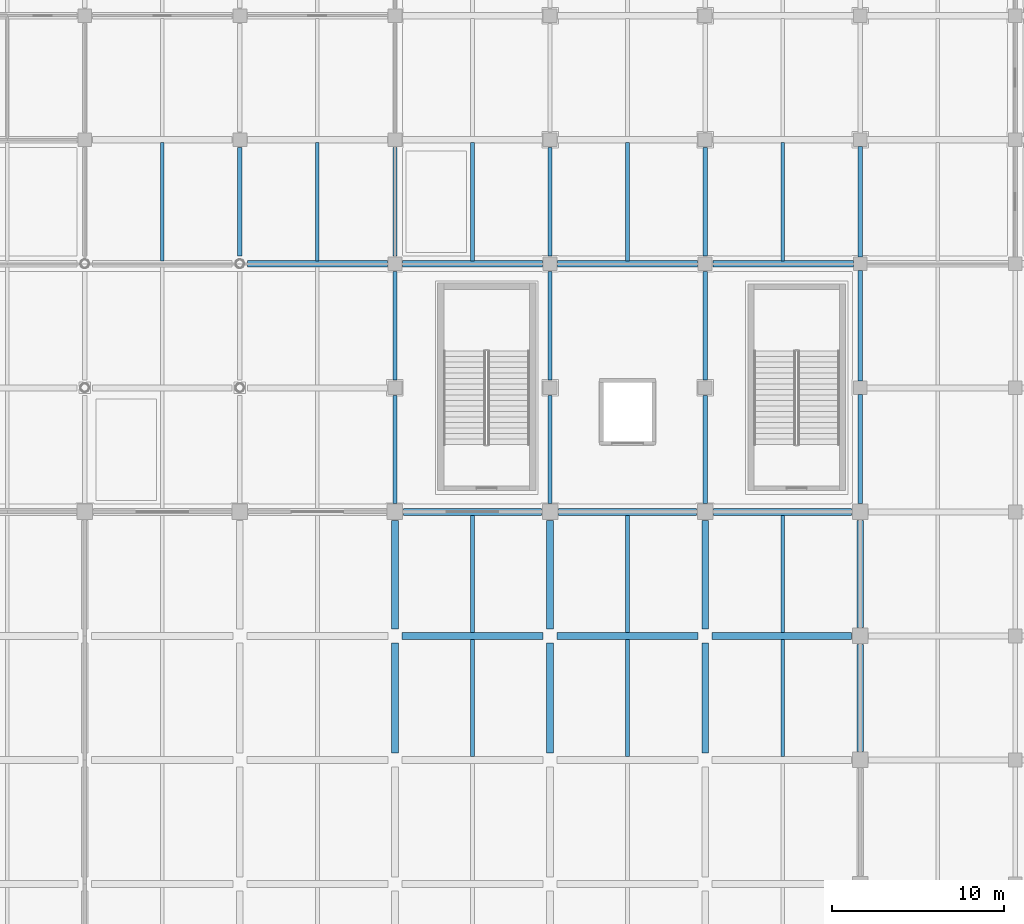
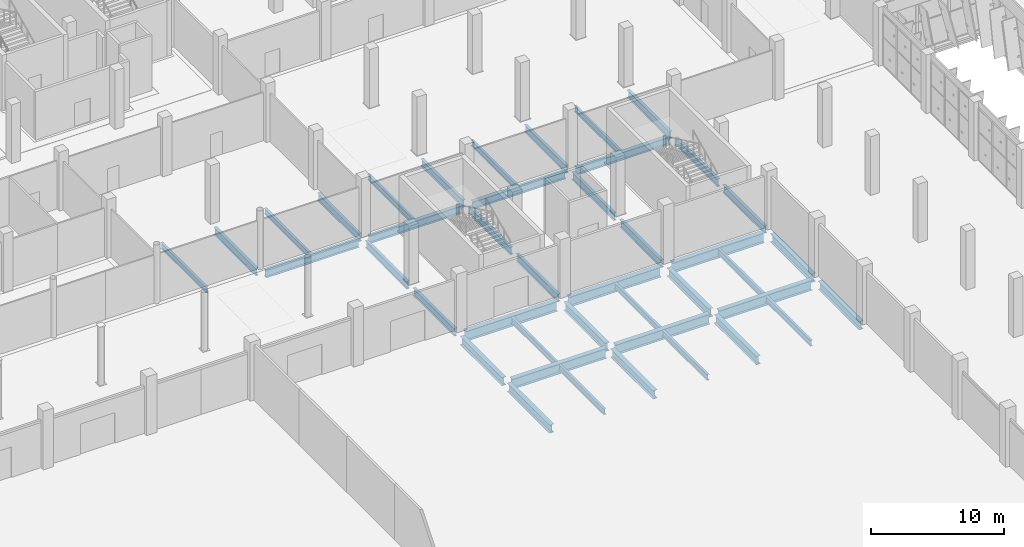
# One storey, part 25 of 137: 42 beams.
"""IFC4 building model written with IfcOpenShell, lengths in metres."""

from ifc_helpers import new_model, si_unit, direction, frame, origin, origin_2d, place, context, subcontext, project, spatial, i_section, extrude, material, material_profile, profile_set, type_object, element, save


model = new_model("IFC4")

# Units and contexts
model_context = context("Model", 3, precision=1e-05, world=origin(), true_north=direction((0.0, 1.0)))
body_context = subcontext(model_context, "Body", "Model", "MODEL_VIEW")
ifc_project = project(units=[si_unit("LENGTHUNIT", "METRE"), si_unit("AREAUNIT", "SQUARE_METRE"), si_unit("VOLUMEUNIT", "CUBIC_METRE"), si_unit("PLANEANGLEUNIT", "RADIAN"), si_unit("MASSUNIT", "GRAM", prefix="KILO")], contexts=[model_context])

# Site, building, storey
site_placement = place(None, origin())
site = spatial("IfcSite", under=ifc_project, at=site_placement, CompositionType="ELEMENT")
building_placement = place(site_placement, origin())
building = spatial("IfcBuilding", under=site, at=building_placement, Name="Celestram Park Convention Centre", CompositionType="ELEMENT")
storey_placement = place(building_placement, origin())
storey = spatial("IfcBuildingStorey", under=building, at=storey_placement, Name="L00", CompositionType="ELEMENT", Elevation=0.0)

# Beams
ifc_material = material(Name="Steel ASTM A992 Grade 50", Category="steel")
ifc_material_profile_1 = material_profile(ifc_material, i_section(OverallWidth=0.35595703125, OverallDepth=0.696044921875, WebThickness=0.015380859375, FlangeThickness=0.02490234375, at=origin_2d()), Name="W27X146")
ifc_profile_set_1 = profile_set([ifc_material_profile_1], Name="Steel ASTM A992 Grade 50")
beam_type_1 = type_object("IfcBeamType", Name="STR-BM-W27X146", PredefinedType="BEAM", material=ifc_profile_set_1)
for number, where, z_axis, x_axis, name in (
    (1, (90.447998046875, 122.39990234375, -0.66796875), (1.0, 0.0, 0.0), (0.0, 1.0, 0.0), "Primary X-girder BG-L00-0440"),
    (2, (99.447998046875, 122.39990234375, -0.66796875), (1.0, 0.0, 0.0), (0.0, 1.0, 0.0), "Primary X-girder BG-L00-0484"),
    (3, (108.447998046875, 122.39990234375, -0.66796875), (1.0, 0.0, 0.0), (0.0, 1.0, 0.0), "Primary X-girder BG-L00-0529"),
):
    element("IfcBeam", number, at=place(storey_placement, frame(where, z_axis=z_axis, x_axis=x_axis)), inside=storey, type_object=beam_type_1, Name=name, PredefinedType="BEAM", context=body_context, shape_type="SweptSolid", body=[
        extrude(i_section(OverallWidth=0.35595703125, OverallDepth=0.696044921875, WebThickness=0.015380859375, FlangeThickness=0.02490234375, at=origin_2d()), origin(), (0.0, 0.0, 1.0), 8.10400390625),
    ])
beam_1_placement = place(storey_placement, frame((117.447998046875, 122.39990234375, -0.66796875), z_axis=(1.0, 0.0, 0.0), x_axis=(0.0, 1.0, 0.0)))
element("IfcBeam", 4, at=beam_1_placement, inside=storey, type_object=beam_type_1, Name="Primary X-girder BG-L00-0570", PredefinedType="BEAM", context=body_context, shape_type="SweptSolid", body=[
    extrude(i_section(OverallWidth=0.35595703125, OverallDepth=0.696044921875, WebThickness=0.015380859375, FlangeThickness=0.02490234375, at=origin_2d()), origin(), (0.0, 0.0, 1.0), 8.154052734375),
])
ifc_material_profile_2 = material_profile(ifc_material, i_section(OverallWidth=0.25390625, OverallDepth=0.68310546875, WebThickness=0.012451171875, FlangeThickness=0.01904296875, at=origin_2d()), Name="W27X94")
ifc_profile_set_2 = profile_set([ifc_material_profile_2], Name="Steel ASTM A992 Grade 50")
beam_type_2 = type_object("IfcBeamType", Name="STR-BM-W27X94", PredefinedType="BEAM", material=ifc_profile_set_2)
beam_2_placement = place(storey_placement, frame((90.0, 122.847900390625, -0.66162109375), z_axis=(0.0, 1.0, 0.0), x_axis=(-1.0, 0.0, 0.0)))
element("IfcBeam", 5, at=beam_2_placement, inside=storey, type_object=beam_type_2, Name="Primary Y-girder BG-L00-0441", PredefinedType="BEAM", context=body_context, shape_type="SweptSolid", body=[
    extrude(i_section(OverallWidth=0.25390625, OverallDepth=0.68310546875, WebThickness=0.012451171875, FlangeThickness=0.01904296875, at=origin_2d()), origin(), (0.0, 0.0, 1.0), 6.30419921875),
])
beam_3_placement = place(storey_placement, frame((99.0, 108.498046875, -0.66162109375), z_axis=(0.0, 1.0, 0.0), x_axis=(-1.0, 0.0, 0.0)))
element("IfcBeam", 6, at=beam_3_placement, inside=storey, type_object=beam_type_2, Name="Primary Y-girder BG-L00-0482", PredefinedType="BEAM", context=body_context, shape_type="SweptSolid", body=[
    extrude(i_section(OverallWidth=0.25390625, OverallDepth=0.68310546875, WebThickness=0.012451171875, FlangeThickness=0.01904296875, at=origin_2d()), origin(), (0.0, 0.0, 1.0), 6.25390625),
])
beam_4_placement = place(storey_placement, frame((99.0, 115.64794921875, -0.66162109375), z_axis=(0.0, 1.0, 0.0), x_axis=(-1.0, 0.0, 0.0)))
element("IfcBeam", 7, at=beam_4_placement, inside=storey, type_object=beam_type_2, Name="Primary Y-girder BG-L00-0483", PredefinedType="BEAM", context=body_context, shape_type="SweptSolid", body=[
    extrude(i_section(OverallWidth=0.25390625, OverallDepth=0.68310546875, WebThickness=0.012451171875, FlangeThickness=0.01904296875, at=origin_2d()), origin(), (0.0, 0.0, 1.0), 6.303955078125),
])
beam_5_placement = place(storey_placement, frame((99.0, 122.847900390625, -0.66162109375), z_axis=(0.0, 1.0, 0.0), x_axis=(-1.0, 0.0, 0.0)))
element("IfcBeam", 8, at=beam_5_placement, inside=storey, type_object=beam_type_2, Name="Primary Y-girder BG-L00-0485", PredefinedType="BEAM", context=body_context, shape_type="SweptSolid", body=[
    extrude(i_section(OverallWidth=0.25390625, OverallDepth=0.68310546875, WebThickness=0.012451171875, FlangeThickness=0.01904296875, at=origin_2d()), origin(), (0.0, 0.0, 1.0), 6.30419921875),
])
beam_6_placement = place(storey_placement, frame((108.0, 108.498046875, -0.66162109375), z_axis=(0.0, 1.0, 0.0), x_axis=(-1.0, 0.0, 0.0)))
element("IfcBeam", 9, at=beam_6_placement, inside=storey, type_object=beam_type_2, Name="Primary Y-girder BG-L00-0527", PredefinedType="BEAM", context=body_context, shape_type="SweptSolid", body=[
    extrude(i_section(OverallWidth=0.25390625, OverallDepth=0.68310546875, WebThickness=0.012451171875, FlangeThickness=0.01904296875, at=origin_2d()), origin(), (0.0, 0.0, 1.0), 6.25390625),
])
beam_7_placement = place(storey_placement, frame((108.0, 115.64794921875, -0.66162109375), z_axis=(0.0, 1.0, 0.0), x_axis=(-1.0, 0.0, 0.0)))
element("IfcBeam", 10, at=beam_7_placement, inside=storey, type_object=beam_type_2, Name="Primary Y-girder BG-L00-0528", PredefinedType="BEAM", context=body_context, shape_type="SweptSolid", body=[
    extrude(i_section(OverallWidth=0.25390625, OverallDepth=0.68310546875, WebThickness=0.012451171875, FlangeThickness=0.01904296875, at=origin_2d()), origin(), (0.0, 0.0, 1.0), 6.303955078125),
])
beam_8_placement = place(storey_placement, frame((108.0, 122.847900390625, -0.66162109375), z_axis=(0.0, 1.0, 0.0), x_axis=(-1.0, 0.0, 0.0)))
element("IfcBeam", 11, at=beam_8_placement, inside=storey, type_object=beam_type_2, Name="Primary Y-girder BG-L00-0530", PredefinedType="BEAM", context=body_context, shape_type="SweptSolid", body=[
    extrude(i_section(OverallWidth=0.25390625, OverallDepth=0.68310546875, WebThickness=0.012451171875, FlangeThickness=0.01904296875, at=origin_2d()), origin(), (0.0, 0.0, 1.0), 6.30419921875),
])
beam_9_placement = place(storey_placement, frame((117.0, 108.498046875, -0.66162109375), z_axis=(0.0, 1.0, 0.0), x_axis=(-1.0, 0.0, 0.0)))
element("IfcBeam", 12, at=beam_9_placement, inside=storey, type_object=beam_type_2, Name="Primary Y-girder BG-L00-0568", PredefinedType="BEAM", context=body_context, shape_type="SweptSolid", body=[
    extrude(i_section(OverallWidth=0.25390625, OverallDepth=0.68310546875, WebThickness=0.012451171875, FlangeThickness=0.01904296875, at=origin_2d()), origin(), (0.0, 0.0, 1.0), 6.25390625),
])
beam_10_placement = place(storey_placement, frame((117.0, 115.64794921875, -0.66162109375), z_axis=(0.0, 1.0, 0.0), x_axis=(-1.0, 0.0, 0.0)))
element("IfcBeam", 13, at=beam_10_placement, inside=storey, type_object=beam_type_2, Name="Primary Y-girder BG-L00-0569", PredefinedType="BEAM", context=body_context, shape_type="SweptSolid", body=[
    extrude(i_section(OverallWidth=0.25390625, OverallDepth=0.68310546875, WebThickness=0.012451171875, FlangeThickness=0.01904296875, at=origin_2d()), origin(), (0.0, 0.0, 1.0), 6.303955078125),
])
beam_11_placement = place(storey_placement, frame((117.0, 122.847900390625, -0.66162109375), z_axis=(0.0, 1.0, 0.0), x_axis=(-1.0, 0.0, 0.0)))
element("IfcBeam", 14, at=beam_11_placement, inside=storey, type_object=beam_type_2, Name="Primary Y-girder BG-L00-0571", PredefinedType="BEAM", context=body_context, shape_type="SweptSolid", body=[
    extrude(i_section(OverallWidth=0.25390625, OverallDepth=0.68310546875, WebThickness=0.012451171875, FlangeThickness=0.01904296875, at=origin_2d()), origin(), (0.0, 0.0, 1.0), 6.30419921875),
])
beam_12_placement = place(storey_placement, frame((126.0, 108.498046875, -0.66162109375), z_axis=(0.0, 1.0, 0.0), x_axis=(-1.0, 0.0, 0.0)))
element("IfcBeam", 15, at=beam_12_placement, inside=storey, type_object=beam_type_2, Name="Primary Y-girder BG-L00-0607", PredefinedType="BEAM", context=body_context, shape_type="SweptSolid", body=[
    extrude(i_section(OverallWidth=0.25390625, OverallDepth=0.68310546875, WebThickness=0.012451171875, FlangeThickness=0.01904296875, at=origin_2d()), origin(), (0.0, 0.0, 1.0), 6.303955078125),
])
beam_13_placement = place(storey_placement, frame((126.0, 115.597900390625, -0.66162109375), z_axis=(0.0, 1.0, 0.0), x_axis=(-1.0, 0.0, 0.0)))
element("IfcBeam", 16, at=beam_13_placement, inside=storey, type_object=beam_type_2, Name="Primary Y-girder BG-L00-0609", PredefinedType="BEAM", context=body_context, shape_type="SweptSolid", body=[
    extrude(i_section(OverallWidth=0.25390625, OverallDepth=0.68310546875, WebThickness=0.012451171875, FlangeThickness=0.01904296875, at=origin_2d()), origin(), (0.0, 0.0, 1.0), 6.404052734375),
])
beam_14_placement = place(storey_placement, frame((126.0, 122.798095703125, -0.66162109375), z_axis=(0.0, 1.0, 0.0), x_axis=(-1.0, 0.0, 0.0)))
element("IfcBeam", 17, at=beam_14_placement, inside=storey, type_object=beam_type_2, Name="Primary Y-girder BG-L00-0611", PredefinedType="BEAM", context=body_context, shape_type="SweptSolid", body=[
    extrude(i_section(OverallWidth=0.25390625, OverallDepth=0.68310546875, WebThickness=0.012451171875, FlangeThickness=0.01904296875, at=origin_2d()), origin(), (0.0, 0.0, 1.0), 6.40380859375),
])
ifc_material_profile_3 = material_profile(ifc_material, i_section(OverallWidth=0.381103515625, OverallDepth=0.77197265625, WebThickness=0.0166015625, FlangeThickness=0.027099609375, at=origin_2d()), Name="W30X173")
ifc_profile_set_3 = profile_set([ifc_material_profile_3], Name="Steel ASTM A992 Grade 50")
beam_type_3 = type_object("IfcBeamType", Name="STR-BM-W30X173", PredefinedType="BEAM", material=ifc_profile_set_3)
beam_15_placement = place(storey_placement, frame((99.0, 93.998046875, -0.74609375), z_axis=(0.0, 1.0, 0.0), x_axis=(-1.0, 0.0, 0.0)))
element("IfcBeam", 18, at=beam_15_placement, inside=storey, type_object=beam_type_3, Name="Primary Y-girder BG-L00-0478", PredefinedType="BEAM", context=body_context, shape_type="SweptSolid", body=[
    extrude(i_section(OverallWidth=0.381103515625, OverallDepth=0.77197265625, WebThickness=0.0166015625, FlangeThickness=0.027099609375, at=origin_2d()), origin(), (0.0, 0.0, 1.0), 6.404052734375),
])
beam_16_placement = place(storey_placement, frame((99.0, 101.197998046875, -0.74609375), z_axis=(0.0, 1.0, 0.0), x_axis=(-1.0, 0.0, 0.0)))
element("IfcBeam", 19, at=beam_16_placement, inside=storey, type_object=beam_type_3, Name="Primary Y-girder BG-L00-0480", PredefinedType="BEAM", context=body_context, shape_type="SweptSolid", body=[
    extrude(i_section(OverallWidth=0.381103515625, OverallDepth=0.77197265625, WebThickness=0.0166015625, FlangeThickness=0.027099609375, at=origin_2d()), origin(), (0.0, 0.0, 1.0), 6.303955078125),
])
beam_17_placement = place(storey_placement, frame((108.0, 93.998046875, -0.74609375), z_axis=(0.0, 1.0, 0.0), x_axis=(-1.0, 0.0, 0.0)))
element("IfcBeam", 20, at=beam_17_placement, inside=storey, type_object=beam_type_3, Name="Primary Y-girder BG-L00-0523", PredefinedType="BEAM", context=body_context, shape_type="SweptSolid", body=[
    extrude(i_section(OverallWidth=0.381103515625, OverallDepth=0.77197265625, WebThickness=0.0166015625, FlangeThickness=0.027099609375, at=origin_2d()), origin(), (0.0, 0.0, 1.0), 6.404052734375),
])
beam_18_placement = place(storey_placement, frame((108.0, 101.197998046875, -0.74609375), z_axis=(0.0, 1.0, 0.0), x_axis=(-1.0, 0.0, 0.0)))
element("IfcBeam", 21, at=beam_18_placement, inside=storey, type_object=beam_type_3, Name="Primary Y-girder BG-L00-0525", PredefinedType="BEAM", context=body_context, shape_type="SweptSolid", body=[
    extrude(i_section(OverallWidth=0.381103515625, OverallDepth=0.77197265625, WebThickness=0.0166015625, FlangeThickness=0.027099609375, at=origin_2d()), origin(), (0.0, 0.0, 1.0), 6.303955078125),
])
beam_19_placement = place(storey_placement, frame((117.0, 93.998046875, -0.74609375), z_axis=(0.0, 1.0, 0.0), x_axis=(-1.0, 0.0, 0.0)))
element("IfcBeam", 22, at=beam_19_placement, inside=storey, type_object=beam_type_3, Name="Primary Y-girder BG-L00-0564", PredefinedType="BEAM", context=body_context, shape_type="SweptSolid", body=[
    extrude(i_section(OverallWidth=0.381103515625, OverallDepth=0.77197265625, WebThickness=0.0166015625, FlangeThickness=0.027099609375, at=origin_2d()), origin(), (0.0, 0.0, 1.0), 6.404052734375),
])
beam_20_placement = place(storey_placement, frame((117.0, 101.197998046875, -0.74609375), z_axis=(0.0, 1.0, 0.0), x_axis=(-1.0, 0.0, 0.0)))
element("IfcBeam", 23, at=beam_20_placement, inside=storey, type_object=beam_type_3, Name="Primary Y-girder BG-L00-0566", PredefinedType="BEAM", context=body_context, shape_type="SweptSolid", body=[
    extrude(i_section(OverallWidth=0.381103515625, OverallDepth=0.77197265625, WebThickness=0.0166015625, FlangeThickness=0.027099609375, at=origin_2d()), origin(), (0.0, 0.0, 1.0), 6.303955078125),
])
beam_21_placement = place(storey_placement, frame((126.0, 94.097900390625, -0.74609375), z_axis=(0.0, 1.0, 0.0), x_axis=(-1.0, 0.0, 0.0)))
element("IfcBeam", 24, at=beam_21_placement, inside=storey, type_object=beam_type_3, Name="Primary Y-girder BG-L00-0603", PredefinedType="BEAM", context=body_context, shape_type="SweptSolid", body=[
    extrude(i_section(OverallWidth=0.381103515625, OverallDepth=0.77197265625, WebThickness=0.0166015625, FlangeThickness=0.027099609375, at=origin_2d()), origin(), (0.0, 0.0, 1.0), 6.2041015625),
])
beam_22_placement = place(storey_placement, frame((126.0, 101.298095703125, -0.74609375), z_axis=(0.0, 1.0, 0.0), x_axis=(-1.0, 0.0, 0.0)))
element("IfcBeam", 25, at=beam_22_placement, inside=storey, type_object=beam_type_3, Name="Primary Y-girder BG-L00-0605", PredefinedType="BEAM", context=body_context, shape_type="SweptSolid", body=[
    extrude(i_section(OverallWidth=0.381103515625, OverallDepth=0.77197265625, WebThickness=0.0166015625, FlangeThickness=0.027099609375, at=origin_2d()), origin(), (0.0, 0.0, 1.0), 6.203857421875),
])
ifc_material_profile_4 = material_profile(ifc_material, i_section(OverallWidth=0.4189453125, OverallDepth=0.927001953125, WebThickness=0.019287109375, FlangeThickness=0.031982421875, at=origin_2d()), Name="W36X231")
ifc_profile_set_4 = profile_set([ifc_material_profile_4], Name="Steel ASTM A992 Grade 50")
beam_type_4 = type_object("IfcBeamType", Name="STR-BM-W36X231", PredefinedType="BEAM", material=ifc_profile_set_4)
beam_23_placement = place(storey_placement, frame((99.39794921875, 100.800048828125, -0.823486328125), z_axis=(1.0, 0.0, 0.0), x_axis=(0.0, 1.0, 0.0)))
element("IfcBeam", 26, at=beam_23_placement, inside=storey, type_object=beam_type_4, Name="Primary X-girder BG-L00-0479", PredefinedType="BEAM", context=body_context, shape_type="SweptSolid", body=[
    extrude(i_section(OverallWidth=0.4189453125, OverallDepth=0.927001953125, WebThickness=0.019287109375, FlangeThickness=0.031982421875, at=origin_2d()), origin(), (0.0, 0.0, 1.0), 8.2041015625),
])
beam_24_placement = place(storey_placement, frame((99.498046875, 108.0, -0.823486328125), z_axis=(1.0, 0.0, 0.0), x_axis=(0.0, 1.0, 0.0)))
element("IfcBeam", 27, at=beam_24_placement, inside=storey, type_object=beam_type_4, Name="Primary X-girder BG-L00-0481", PredefinedType="BEAM", context=body_context, shape_type="SweptSolid", body=[
    extrude(i_section(OverallWidth=0.4189453125, OverallDepth=0.927001953125, WebThickness=0.019287109375, FlangeThickness=0.031982421875, at=origin_2d()), origin(), (0.0, 0.0, 1.0), 8.00390625),
])
beam_25_placement = place(storey_placement, frame((108.39794921875, 100.800048828125, -0.823486328125), z_axis=(1.0, 0.0, 0.0), x_axis=(0.0, 1.0, 0.0)))
element("IfcBeam", 28, at=beam_25_placement, inside=storey, type_object=beam_type_4, Name="Primary X-girder BG-L00-0524", PredefinedType="BEAM", context=body_context, shape_type="SweptSolid", body=[
    extrude(i_section(OverallWidth=0.4189453125, OverallDepth=0.927001953125, WebThickness=0.019287109375, FlangeThickness=0.031982421875, at=origin_2d()), origin(), (0.0, 0.0, 1.0), 8.2041015625),
])
beam_26_placement = place(storey_placement, frame((108.498046875, 108.0, -0.823486328125), z_axis=(1.0, 0.0, 0.0), x_axis=(0.0, 1.0, 0.0)))
element("IfcBeam", 29, at=beam_26_placement, inside=storey, type_object=beam_type_4, Name="Primary X-girder BG-L00-0526", PredefinedType="BEAM", context=body_context, shape_type="SweptSolid", body=[
    extrude(i_section(OverallWidth=0.4189453125, OverallDepth=0.927001953125, WebThickness=0.019287109375, FlangeThickness=0.031982421875, at=origin_2d()), origin(), (0.0, 0.0, 1.0), 8.00390625),
])
beam_27_placement = place(storey_placement, frame((117.39794921875, 100.800048828125, -0.823486328125), z_axis=(1.0, 0.0, 0.0), x_axis=(0.0, 1.0, 0.0)))
element("IfcBeam", 30, at=beam_27_placement, inside=storey, type_object=beam_type_4, Name="Primary X-girder BG-L00-0565", PredefinedType="BEAM", context=body_context, shape_type="SweptSolid", body=[
    extrude(i_section(OverallWidth=0.4189453125, OverallDepth=0.927001953125, WebThickness=0.019287109375, FlangeThickness=0.031982421875, at=origin_2d()), origin(), (0.0, 0.0, 1.0), 8.10400390625),
])
beam_28_placement = place(storey_placement, frame((117.498046875, 108.0, -0.823486328125), z_axis=(1.0, 0.0, 0.0), x_axis=(0.0, 1.0, 0.0)))
element("IfcBeam", 31, at=beam_28_placement, inside=storey, type_object=beam_type_4, Name="Primary X-girder BG-L00-0567", PredefinedType="BEAM", context=body_context, shape_type="SweptSolid", body=[
    extrude(i_section(OverallWidth=0.4189453125, OverallDepth=0.927001953125, WebThickness=0.019287109375, FlangeThickness=0.031982421875, at=origin_2d()), origin(), (0.0, 0.0, 1.0), 8.00390625),
])
ifc_material_profile_5 = material_profile(ifc_material, i_section(OverallWidth=0.2099609375, OverallDepth=0.532958984375, WebThickness=0.01025390625, FlangeThickness=0.015625, at=origin_2d()), Name="W21X62")
ifc_profile_set_5 = profile_set([ifc_material_profile_5], Name="Steel ASTM A992 Grade 50")
beam_type_5 = type_object("IfcBeamType", Name="STR-JST-W21X62", PredefinedType="JOIST", material=ifc_profile_set_5)
for number, where, z_axis, x_axis, name in (
    (32, (85.5, 122.573974609375, -0.58642578125), (0.0, 1.0, 0.0), (-1.0, 0.0, 0.0), "Secondary composite joist BG-L00-1063"),
    (33, (94.5, 122.573974609375, -0.58642578125), (0.0, 1.0, 0.0), (-1.0, 0.0, 0.0), "Secondary composite joist BG-L00-1083"),
    (34, (103.5, 122.573974609375, -0.58642578125), (0.0, 1.0, 0.0), (-1.0, 0.0, 0.0), "Secondary composite joist BG-L00-1101"),
    (35, (112.5, 122.573974609375, -0.58642578125), (0.0, 1.0, 0.0), (-1.0, 0.0, 0.0), "Secondary composite joist BG-L00-1120"),
    (36, (121.5, 122.573974609375, -0.58642578125), (0.0, 1.0, 0.0), (-1.0, 0.0, 0.0), "Secondary composite joist BG-L00-1135"),
):
    element("IfcBeam", number, at=place(storey_placement, frame(where, z_axis=z_axis, x_axis=x_axis)), inside=storey, type_object=beam_type_5, Name=name, PredefinedType="JOIST", context=body_context, shape_type="SweptSolid", body=[
        extrude(i_section(OverallWidth=0.2099609375, OverallDepth=0.532958984375, WebThickness=0.01025390625, FlangeThickness=0.015625, at=origin_2d()), origin(), (0.0, 0.0, 1.0), 6.85205078125),
    ])
ifc_material_profile_6 = material_profile(ifc_material, i_section(OverallWidth=0.214111328125, OverallDepth=0.549072265625, WebThickness=0.0146484375, FlangeThickness=0.023681640625, at=origin_2d()), Name="W21X93")
ifc_profile_set_6 = profile_set([ifc_material_profile_6], Name="Steel ASTM A992 Grade 50")
beam_type_6 = type_object("IfcBeamType", Name="STR-JST-W21X93", PredefinedType="JOIST", material=ifc_profile_set_6)
for number, where, z_axis, x_axis, name in (
    (37, (103.5, 93.804931640625, -0.634521484375), (0.0, 1.0, 0.0), (-1.0, 0.0, 0.0), "Secondary composite joist BG-L00-1099"),
    (38, (103.5, 101.0048828125, -0.634521484375), (0.0, 1.0, 0.0), (-1.0, 0.0, 0.0), "Secondary composite joist BG-L00-1100"),
    (39, (112.5, 93.804931640625, -0.634521484375), (0.0, 1.0, 0.0), (-1.0, 0.0, 0.0), "Secondary composite joist BG-L00-1118"),
    (40, (112.5, 101.0048828125, -0.634521484375), (0.0, 1.0, 0.0), (-1.0, 0.0, 0.0), "Secondary composite joist BG-L00-1119"),
    (41, (121.5, 93.804931640625, -0.634521484375), (0.0, 1.0, 0.0), (-1.0, 0.0, 0.0), "Secondary composite joist BG-L00-1133"),
    (42, (121.5, 101.0048828125, -0.634521484375), (0.0, 1.0, 0.0), (-1.0, 0.0, 0.0), "Secondary composite joist BG-L00-1134"),
):
    element("IfcBeam", number, at=place(storey_placement, frame(where, z_axis=z_axis, x_axis=x_axis)), inside=storey, type_object=beam_type_6, Name=name, PredefinedType="JOIST", context=body_context, shape_type="SweptSolid", body=[
        extrude(i_section(OverallWidth=0.214111328125, OverallDepth=0.549072265625, WebThickness=0.0146484375, FlangeThickness=0.023681640625, at=origin_2d()), origin(), (0.0, 0.0, 1.0), 6.7900390625),
    ])

save(model, "model.ifc")
